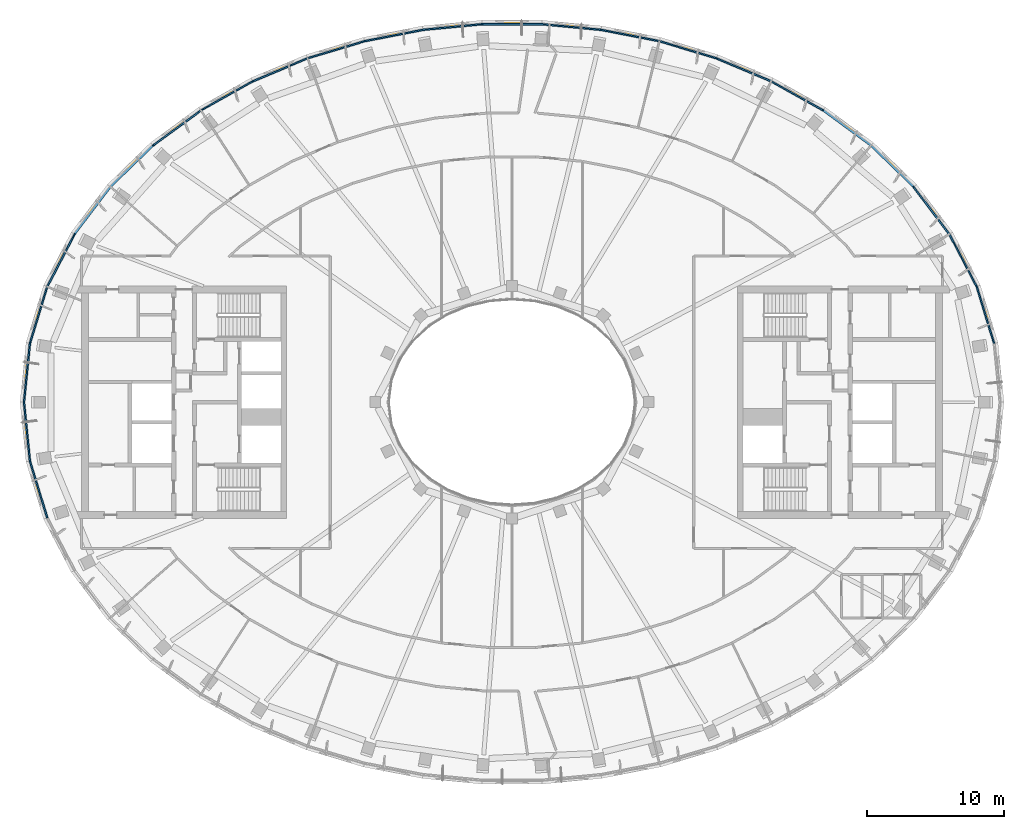
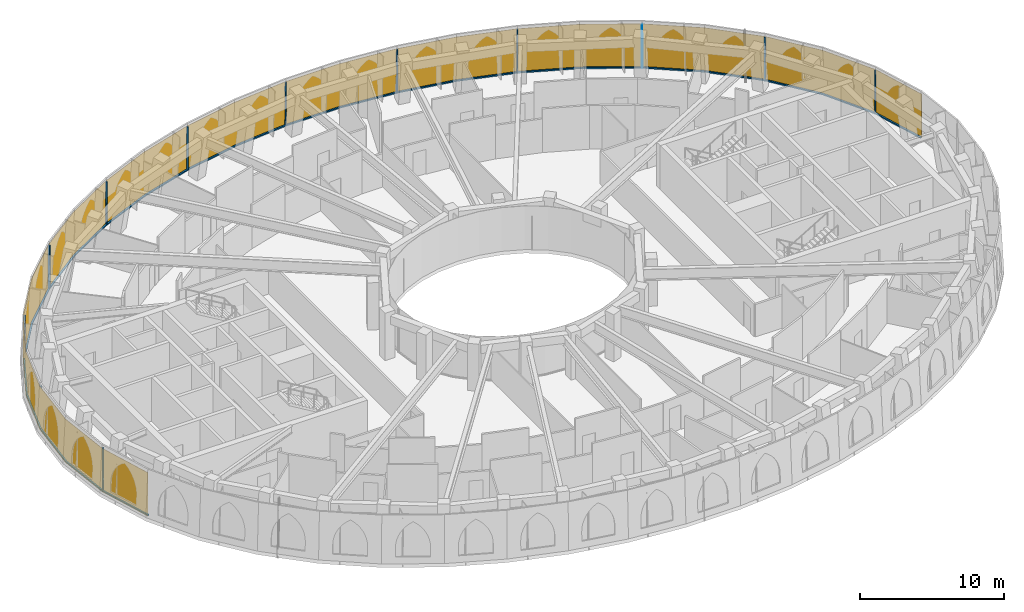
# One storey, part 11 of 15: 25 members, 1 curtain wall.
"""IFC4 building model written with IfcOpenShell, lengths in metres."""

import ifcopenshell
import ifcopenshell.guid

model = None  # the IFC model being written
_history = None  # IfcOwnerHistory: only IFC2X3 demands one
_inside = {}  # id of a spatial element -> (the spatial element, [elements in it])
_under = {}  # id of a project, library or spatial element -> (it, [spatial elements below it])
_declared = {}  # id of a project -> (the project, [libraries it declares])
_typed = {}  # id of a type object -> (the type object, [elements of that type])
_made_of = {}  # id of a material, layer set ... -> (it, [elements and type objects made of it])


def new_model(schema):
    """Start an empty IFC model of exactly this schema.

    Asked for "IFC4X3", IfcOpenShell would pick the latest addendum, in which some entities
    have other attributes; the version numbers below select the first issue.
    IFC2X3 requires an IfcOwnerHistory on every rooted entity: one is made here for all.
    """
    global model, _history
    if schema == "IFC4X3":
        model = ifcopenshell.file(schema_version=(4, 3, 0, 0))
    else:
        model = ifcopenshell.file(schema=schema)
    _inside.clear()
    _under.clear()
    _declared.clear()
    _typed.clear()
    _made_of.clear()
    _history = None
    if model.schema == "IFC2X3":
        org = make("IfcOrganization", Name="unknown")
        user = make(
            "IfcPersonAndOrganization",
            ThePerson=make("IfcPerson", FamilyName="unknown"),
            TheOrganization=org,
        )
        app = make(
            "IfcApplication",
            ApplicationDeveloper=org,
            Version="unknown",
            ApplicationFullName="unknown",
            ApplicationIdentifier="unknown",
        )
        _history = make(
            "IfcOwnerHistory",
            OwningUser=user,
            OwningApplication=app,
            ChangeAction="ADDED",
            CreationDate=0,
        )
    return model


def make(cls, **values):
    """One entity of the class cls with the attributes given. An attribute that is None is left unset."""
    return model.create_entity(
        cls, **{name: value for name, value in values.items() if value is not None}
    )


def rooted(cls, **values):
    """An entity with a GlobalId (a new one), such as an element, a storey or a relation."""
    return make(cls, GlobalId=ifcopenshell.guid.new(), OwnerHistory=_history, **values)


def si_unit(unit_type, name, prefix=None):
    """IfcSIUnit, for example si_unit("LENGTHUNIT", "METRE", prefix="MILLI")."""
    return make("IfcSIUnit", UnitType=unit_type, Prefix=prefix, Name=name)


def assignment(units):
    """IfcUnitAssignment: the units of a project."""
    return None if units is None else make("IfcUnitAssignment", Units=units)


def point(xyz):
    """IfcCartesianPoint."""
    return None if xyz is None else make("IfcCartesianPoint", Coordinates=xyz)


def direction(xyz):
    """IfcDirection."""
    return None if xyz is None else make("IfcDirection", DirectionRatios=xyz)


def frame(location, z_axis=None, x_axis=None):
    """IfcAxis2Placement3D, a coordinate frame: its origin and axes. An axis left out is left unset."""
    return make(
        "IfcAxis2Placement3D",
        Location=point(location),
        Axis=direction(z_axis),
        RefDirection=direction(x_axis),
    )


def frame_2d(location, x_axis=None):
    """IfcAxis2Placement2D, a coordinate frame in the plane: its origin and x axis."""
    return make(
        "IfcAxis2Placement2D", Location=point(location), RefDirection=direction(x_axis)
    )


def origin():
    """The frame at (0, 0, 0) with its axes left unset."""
    return frame((0.0, 0.0, 0.0))


def origin_2d():
    """The frame at (0, 0) in the plane with its x axis left unset."""
    return frame_2d((0.0, 0.0))


def place(relative_to, where):
    """IfcLocalPlacement: puts the frame where relative to a parent placement (None: the world)."""
    return make(
        "IfcLocalPlacement", PlacementRelTo=relative_to, RelativePlacement=where
    )


def context(
    kind, dimensions, precision=None, world=None, true_north=None, identifier=None
):
    """IfcGeometricRepresentationContext, for example the 3D "Model" context."""
    return make(
        "IfcGeometricRepresentationContext",
        ContextIdentifier=identifier,
        ContextType=kind,
        CoordinateSpaceDimension=dimensions,
        Precision=precision,
        WorldCoordinateSystem=world,
        TrueNorth=true_north,
    )


def subcontext(parent, identifier, kind, view, scale=None):
    """IfcGeometricRepresentationSubContext, for example "Body" below "Model"."""
    return make(
        "IfcGeometricRepresentationSubContext",
        ContextIdentifier=identifier,
        ContextType=kind,
        ParentContext=parent,
        TargetScale=scale,
        TargetView=view,
    )


def project(units=None, contexts=None):
    """IfcProject with its units and contexts."""
    return rooted(
        "IfcProject",
        Name="project",
        RepresentationContexts=contexts,
        UnitsInContext=assignment(units),
    )


def spatial(cls, under=None, at=None, **own):
    """A site, building, storey or space (cls), placed at a placement, below another one or the project."""
    s = rooted(cls, ObjectPlacement=at, **own)
    if under is not None:
        _under.setdefault(under.id(), (under, []))[1].append(s)
    return s


def polyline(points):
    """IfcPolyline through the points."""
    return make("IfcPolyline", Points=[point(p) for p in points])


def profile(cls, at=None, kind="AREA", **sizes):
    """A parametric profile (cls). Its sizes go by their IFC names, for example OverallWidth=200.0."""
    return make(cls, ProfileType=kind, Position=at, **sizes)


def rectangle(**sizes):
    """IfcRectangleProfileDef."""
    return profile("IfcRectangleProfileDef", **sizes)


def outline(outer, holes=None, kind="AREA"):
    """IfcArbitraryClosedProfileDef: a profile drawn as a closed curve; with holes, ...WithVoids."""
    if holes is None:
        return make("IfcArbitraryClosedProfileDef", ProfileType=kind, OuterCurve=outer)
    return make(
        "IfcArbitraryProfileDefWithVoids",
        ProfileType=kind,
        OuterCurve=outer,
        InnerCurves=holes,
    )


def extrude(swept, where, along, depth):
    """IfcExtrudedAreaSolid: the profile swept, set in the frame where, extruded along a direction by depth."""
    return make(
        "IfcExtrudedAreaSolid",
        SweptArea=swept,
        Position=where,
        ExtrudedDirection=direction(along),
        Depth=depth,
    )


def shape(context_of_items, identifier, shape_type, items):
    """IfcShapeRepresentation: the items that make up one representation, for example the "Body"."""
    return make(
        "IfcShapeRepresentation",
        ContextOfItems=context_of_items,
        RepresentationIdentifier=identifier,
        RepresentationType=shape_type,
        Items=items,
    )


def material(Name=None, Category=None):
    """IfcMaterial."""
    return make("IfcMaterial", Name=Name, Category=Category)


def layer(
    of_material, thickness, ventilated=None, Name=None, Category=None, Priority=None
):
    """IfcMaterialLayer: one layer of a wall or slab, of a material (None: an air gap)."""
    return make(
        "IfcMaterialLayer",
        Material=of_material,
        LayerThickness=thickness,
        IsVentilated=ventilated,
        Name=Name,
        Category=Category,
        Priority=Priority,
    )


def layer_set(layers, Name=None):
    """IfcMaterialLayerSet."""
    return make("IfcMaterialLayerSet", MaterialLayers=layers, LayerSetName=Name)


def material_profile(
    of_material, cross_section, Name=None, Category=None, Priority=None
):
    """IfcMaterialProfile: a cross section and its material."""
    return make(
        "IfcMaterialProfile",
        Name=Name,
        Material=of_material,
        Profile=cross_section,
        Priority=Priority,
        Category=Category,
    )


def profile_set(profiles, Name=None, composite=None):
    """IfcMaterialProfileSet."""
    return make(
        "IfcMaterialProfileSet",
        Name=Name,
        MaterialProfiles=profiles,
        CompositeProfile=composite,
    )


def made_of(thing, what):
    """Note that an element or type object is made of a material, layer set ...; save() writes the relation."""
    if what is not None:
        _made_of.setdefault(what.id(), (what, []))[1].append(thing)
    return thing


def type_object(cls, material=None, **own):
    """A type object (cls), such as IfcWallType, which elements share."""
    return made_of(rooted(cls, **own), material)


def element(
    cls,
    number,
    at=None,
    inside=None,
    cuts=None,
    type_object=None,
    material=None,
    context=None,
    identifier="Body",
    shape_type=None,
    held_by="IfcProductDefinitionShape",
    body=None,
    shapes=None,
    **own,
):
    """One element of the class cls, such as IfcWall. Its Tag is "e" and its number.

    at: its placement. inside: the storey or other place that contains it. cuts: it is an
    opening in that element (IfcRelVoidsElement). A single representation is given by context,
    identifier, shape_type and body (its items); several are given by shapes. held_by: the class
    of the entity that holds the representations. save() writes the other relations.
    """
    e = rooted(cls, Tag="e%d" % number, ObjectPlacement=at, **own)
    if body is not None:
        shapes = [shape(context, identifier, shape_type, body)]
    if shapes is not None:
        e.Representation = make(held_by, Representations=shapes)
    if inside is not None:
        _inside.setdefault(inside.id(), (inside, []))[1].append(e)
    if cuts is not None:
        rooted(
            "IfcRelVoidsElement", RelatingBuildingElement=cuts, RelatedOpeningElement=e
        )
    if type_object is not None:
        _typed.setdefault(type_object.id(), (type_object, []))[1].append(e)
    return made_of(e, material)


def aggregate(whole, parts):
    """IfcRelAggregates: a whole, such as a stair, and the parts it consists of."""
    return rooted("IfcRelAggregates", RelatingObject=whole, RelatedObjects=parts)


def save(model, path):
    """Write the relations noted so far, then the file.

    IfcRelAggregates (storeys below a building ...), IfcRelContainedInSpatialStructure (elements
    in a storey), IfcRelDefinesByType, IfcRelAssociatesMaterial and IfcRelDeclares: one each for
    every whole, place, type object, material and project.
    """
    for whole, parts in _under.values():
        aggregate(whole, parts)
    for where, things in _inside.values():
        rooted(
            "IfcRelContainedInSpatialStructure",
            RelatedElements=things,
            RelatingStructure=where,
        )
    for kind, things in _typed.values():
        rooted("IfcRelDefinesByType", RelatedObjects=things, RelatingType=kind)
    for what, things in _made_of.values():
        rooted("IfcRelAssociatesMaterial", RelatedObjects=things, RelatingMaterial=what)
    for by, libraries in _declared.values():
        rooted("IfcRelDeclares", RelatingContext=by, RelatedDefinitions=libraries)
    model.write(path)


model = new_model("IFC4")

# Units and contexts
model_context = context("Model", 3, precision=1e-05, world=origin(), true_north=direction((0.0, 1.0)))
body_context = subcontext(model_context, "Body", "Model", "MODEL_VIEW")
ifc_project = project(units=[si_unit("LENGTHUNIT", "METRE"), si_unit("AREAUNIT", "SQUARE_METRE"), si_unit("VOLUMEUNIT", "CUBIC_METRE"), si_unit("PLANEANGLEUNIT", "RADIAN"), si_unit("MASSUNIT", "GRAM", prefix="KILO")], contexts=[model_context])

# Member
ifc_material_1 = material(Name="Aluminium 6063-T6 black anodised", Category="aluminium")
ifc_material_profile = material_profile(ifc_material_1, rectangle(XDim=0.1201171875, YDim=0.06005859375, at=origin_2d()), Name="120x60")
ifc_profile_set = profile_set([ifc_material_profile], Name="Aluminium 6063-T6 black anodised")
member_type_1 = type_object("IfcMemberType", Name="ENV-MULLION-H-120", PredefinedType="MULLION", material=ifc_profile_set)
site_placement = place(None, origin())
building_placement = place(site_placement, origin())
storey_placement = place(building_placement, frame((0.0, 0.0, 331.0)))
member_1_placement = place(storey_placement, frame((34.005126953125, 8.45263671875, 0.0), z_axis=(0.0, 0.0, 1.0), x_axis=(-0.925258019924, -0.379338366853, 0.0)))
member_1 = element("IfcMember", 1, at=member_1_placement, type_object=member_type_1, Name="Mullion H radial 03", PredefinedType="MULLION", context=body_context, shape_type="SweptSolid", body=[
    extrude(rectangle(XDim=0.1201171875, YDim=0.06005859375, at=origin_2d()), origin(), (0.0, 0.0, 1.0), 3.699951171875),
])

member_2_placement = place(storey_placement, frame((29.373779296875, 15.753173828125, 0.0), z_axis=(0.0, 0.0, 1.0), x_axis=(-0.748526422101, -0.66310496561, 0.0)))
member_2 = element("IfcMember", 2, at=member_2_placement, type_object=member_type_1, Name="Mullion H radial 05", PredefinedType="MULLION", context=body_context, shape_type="SweptSolid", body=[
    extrude(rectangle(XDim=0.1201171875, YDim=0.06005859375, at=origin_2d()), origin(), (0.0, 0.0, 1.0), 3.699951171875),
])

member_3_placement = place(storey_placement, frame((22.7548828125, 21.35205078125, 0.0), z_axis=(0.0, 0.0, 1.0), x_axis=(-0.541670802907, -0.840590709726, 0.0)))
member_3 = element("IfcMember", 3, at=member_3_placement, type_object=member_type_1, Name="Mullion H radial 07", PredefinedType="MULLION", context=body_context, shape_type="SweptSolid", body=[
    extrude(rectangle(XDim=0.1201171875, YDim=0.06005859375, at=origin_2d()), origin(), (0.0, 0.0, 1.0), 3.699951171875),
])

member_4_placement = place(storey_placement, frame((14.950439453125, 25.16162109375, 0.0), z_axis=(0.0, 0.0, 1.0), x_axis=(-0.337902323267, -0.94118118337, 0.0)))
member_4 = element("IfcMember", 4, at=member_4_placement, type_object=member_type_1, Name="Mullion H radial 09", PredefinedType="MULLION", context=body_context, shape_type="SweptSolid", body=[
    extrude(rectangle(XDim=0.1201171875, YDim=0.06005859375, at=origin_2d()), origin(), (0.0, 0.0, 1.0), 3.699951171875),
])

member_5_placement = place(storey_placement, frame((6.510009765625, 27.2431640625, 0.0), z_axis=(0.0, 0.0, 1.0), x_axis=(-0.142858777509, -0.989743082668, 0.0)))
member_5 = element("IfcMember", 5, at=member_5_placement, type_object=member_type_1, Name="Mullion H radial 11", PredefinedType="MULLION", context=body_context, shape_type="SweptSolid", body=[
    extrude(rectangle(XDim=0.1201171875, YDim=0.06005859375, at=origin_2d()), origin(), (0.0, 0.0, 1.0), 3.699951171875),
])

member_6_placement = place(storey_placement, frame((-2.176513671875, 27.656005859375, 0.0), z_axis=(0.0, 0.0, 1.0), x_axis=(0.047482285731, -0.998872080169, 0.0)))
member_6 = element("IfcMember", 6, at=member_6_placement, type_object=member_type_1, Name="Mullion H radial 13", PredefinedType="MULLION", context=body_context, shape_type="SweptSolid", body=[
    extrude(rectangle(XDim=0.1201171875, YDim=0.06005859375, at=origin_2d()), origin(), (0.0, 0.0, 1.0), 3.699951171875),
])

member_7_placement = place(storey_placement, frame((-10.78271484375, 26.413818359375, 0.0), z_axis=(0.0, 0.0, 1.0), x_axis=(0.239439185243, -0.97091136391, 0.0)))
member_7 = element("IfcMember", 7, at=member_7_placement, type_object=member_type_1, Name="Mullion H radial 15", PredefinedType="MULLION", context=body_context, shape_type="SweptSolid", body=[
    extrude(rectangle(XDim=0.1201171875, YDim=0.06005859375, at=origin_2d()), origin(), (0.0, 0.0, 1.0), 3.699951171875),
])

member_8_placement = place(storey_placement, frame((-18.96142578125, 23.4775390625, 0.0), z_axis=(0.0, 0.0, 1.0), x_axis=(0.4386738804, -0.898646330129, 0.0)))
member_8 = element("IfcMember", 8, at=member_8_placement, type_object=member_type_1, Name="Mullion H radial 17", PredefinedType="MULLION", context=body_context, shape_type="SweptSolid", body=[
    extrude(rectangle(XDim=0.1201171875, YDim=0.06005859375, at=origin_2d()), origin(), (0.0, 0.0, 1.0), 3.699951171875),
])

member_9_placement = place(storey_placement, frame((-26.25634765625, 18.777099609375, 0.0), z_axis=(0.0, 0.0, 1.0), x_axis=(0.645854129125, -0.76346083324, 0.0)))
member_9 = element("IfcMember", 9, at=member_9_placement, type_object=member_type_1, Name="Mullion H radial 19", PredefinedType="MULLION", context=body_context, shape_type="SweptSolid", body=[
    extrude(rectangle(XDim=0.1201171875, YDim=0.06005859375, at=origin_2d()), origin(), (0.0, 0.0, 1.0), 3.699951171875),
])

member_10_placement = place(storey_placement, frame((-31.997802734375, 12.29638671875, 0.0), z_axis=(0.0, 0.0, 1.0), x_axis=(0.844447683861, -0.535638039372, 0.0)))
member_10 = element("IfcMember", 10, at=member_10_placement, type_object=member_type_1, Name="Mullion H radial 21", PredefinedType="MULLION", context=body_context, shape_type="SweptSolid", body=[
    extrude(rectangle(XDim=0.1201171875, YDim=0.06005859375, at=origin_2d()), origin(), (0.0, 0.0, 1.0), 3.699951171875),
])

member_11_placement = place(storey_placement, frame((-35.27294921875, 4.309326171875, 0.0), z_axis=(0.0, 0.0, 1.0), x_axis=(0.980319158477, -0.197419217714, 0.0)))
member_11 = element("IfcMember", 11, at=member_11_placement, type_object=member_type_1, Name="Mullion H radial 23", PredefinedType="MULLION", context=body_context, shape_type="SweptSolid", body=[
    extrude(rectangle(XDim=0.1201171875, YDim=0.06005859375, at=origin_2d()), origin(), (0.0, 0.0, 1.0), 3.699951171875),
])

member_12_placement = place(storey_placement, frame((-35.27294921875, -4.309326171875, 0.0), z_axis=(0.0, 0.0, 1.0), x_axis=(0.980319158477, 0.197419217714, 0.0)))
member_12 = element("IfcMember", 12, at=member_12_placement, type_object=member_type_1, Name="Mullion H radial 25", PredefinedType="MULLION", context=body_context, shape_type="SweptSolid", body=[
    extrude(rectangle(XDim=0.1201171875, YDim=0.06005859375, at=origin_2d()), origin(), (0.0, 0.0, 1.0), 3.699951171875),
])

ifc_material_2 = material(Name="Aluminium 6063-T6 black anodised", Category="aluminium")
member_type_2 = type_object("IfcMemberType", Name="ENV-TRANSOM-H", PredefinedType="USERDEFINED", material=ifc_material_2)
member_13_placement = place(storey_placement, origin())
member_13 = element("IfcMember", 13, at=member_13_placement, type_object=member_type_2, Name="Transom H radial 02-03", ObjectType="TRANSOM", PredefinedType="USERDEFINED", context=body_context, shape_type="SweptSolid", body=[
    extrude(outline(polyline([(35.33154296875, 4.321044921875), (34.068603515625, 8.448486328125), (33.95703125, 8.40283203125), (35.21337890625, 4.29736328125), (35.33154296875, 4.321044921875)])), origin(), (0.0, 0.0, 1.0), 0.10009765625),
])

member_14_placement = place(storey_placement, origin())
member_14 = element("IfcMember", 14, at=member_14_placement, type_object=member_type_2, Name="Transom H radial 03-05", ObjectType="TRANSOM", PredefinedType="USERDEFINED", context=body_context, shape_type="SweptSolid", body=[
    extrude(outline(polyline([(34.04736328125, 8.500244140625), (32.04833984375, 12.32861328125), (29.435546875, 15.7705078125), (29.345458984375, 15.690673828125), (31.94677734375, 12.263916015625), (33.935791015625, 8.45458984375), (34.04736328125, 8.500244140625)])), origin(), (0.0, 0.0, 1.0), 0.10009765625),
])

member_15_placement = place(storey_placement, origin())
member_15 = element("IfcMember", 15, at=member_15_placement, type_object=member_type_2, Name="Transom H radial 05-07", ObjectType="TRANSOM", PredefinedType="USERDEFINED", context=body_context, shape_type="SweptSolid", body=[
    extrude(outline(polyline([(29.398681640625, 15.812255859375), (26.294921875, 18.822998046875), (22.81005859375, 21.3857421875), (22.744873046875, 21.28466796875), (26.21728515625, 18.73095703125), (29.30859375, 15.732421875), (29.398681640625, 15.812255859375)])), origin(), (0.0, 0.0, 1.0), 0.10009765625),
])

member_16_placement = place(storey_placement, origin())
member_16 = element("IfcMember", 16, at=member_16_placement, type_object=member_type_2, Name="Transom H radial 07-09", ObjectType="TRANSOM", PredefinedType="USERDEFINED", context=body_context, shape_type="SweptSolid", body=[
    extrude(outline(polyline([(22.762939453125, 21.416015625), (18.98779296875, 23.531494140625), (14.996337890625, 25.207275390625), (14.955810546875, 25.093994140625), (18.93505859375, 23.423583984375), (22.697998046875, 21.31494140625), (22.762939453125, 21.416015625)])), origin(), (0.0, 0.0, 1.0), 0.10009765625),
])

member_17_placement = place(storey_placement, origin())
member_17 = element("IfcMember", 17, at=member_17_placement, type_object=member_type_2, Name="Transom H radial 09-11", ObjectType="TRANSOM", PredefinedType="USERDEFINED", context=body_context, shape_type="SweptSolid", body=[
    extrude(outline(polyline([(14.94384765625, 25.22607421875), (10.797119140625, 26.471923828125), (6.5458984375, 27.297119140625), (6.52880859375, 27.17822265625), (10.768310546875, 26.35546875), (14.9033203125, 25.113037109375), (14.94384765625, 25.22607421875)])), origin(), (0.0, 0.0, 1.0), 0.10009765625),
])

member_18_placement = place(storey_placement, origin())
member_18 = element("IfcMember", 18, at=member_18_placement, type_object=member_type_2, Name="Transom H radial 11-13", ObjectType="TRANSOM", PredefinedType="USERDEFINED", context=body_context, shape_type="SweptSolid", body=[
    extrude(outline(polyline([(6.49072265625, 27.30517578125), (2.179443359375, 27.7158203125), (-2.1513671875, 27.7158203125), (-2.145751953125, 27.595947265625), (2.173583984375, 27.595947265625), (6.473388671875, 27.18603515625), (6.49072265625, 27.30517578125)])), origin(), (0.0, 0.0, 1.0), 0.10009765625),
])

member_19_placement = place(storey_placement, origin())
member_19 = element("IfcMember", 19, at=member_19_placement, type_object=member_type_2, Name="Transom H radial 13-15", ObjectType="TRANSOM", PredefinedType="USERDEFINED", context=body_context, shape_type="SweptSolid", body=[
    extrude(outline(polyline([(-2.207275390625, 27.713134765625), (-6.5185546875, 27.302490234375), (-10.76953125, 26.477294921875), (-10.740966796875, 26.360595703125), (-6.50146484375, 27.18359375), (-2.20166015625, 27.59326171875), (-2.207275390625, 27.713134765625)])), origin(), (0.0, 0.0, 1.0), 0.10009765625),
])

member_20_placement = place(storey_placement, origin())
member_20 = element("IfcMember", 20, at=member_20_placement, type_object=member_type_2, Name="Transom H radial 15-17", ObjectType="TRANSOM", PredefinedType="USERDEFINED", context=body_context, shape_type="SweptSolid", body=[
    extrude(outline(polyline([(-10.823974609375, 26.464111328125), (-14.970703125, 25.218017578125), (-18.9619140625, 23.542236328125), (-18.9091796875, 23.434326171875), (-14.929931640625, 25.10498046875), (-10.795166015625, 26.347412109375), (-10.823974609375, 26.464111328125)])), origin(), (0.0, 0.0, 1.0), 0.10009765625),
])

member_21_placement = place(storey_placement, origin())
member_21 = element("IfcMember", 21, at=member_21_placement, type_object=member_type_2, Name="Transom H radial 17-19", ObjectType="TRANSOM", PredefinedType="USERDEFINED", context=body_context, shape_type="SweptSolid", body=[
    extrude(outline(polyline([(-19.01220703125, 23.517822265625), (-22.787353515625, 21.40234375), (-26.2724609375, 18.83935546875), (-26.194580078125, 18.74755859375), (-22.722412109375, 21.30126953125), (-18.95947265625, 23.409912109375), (-19.01220703125, 23.517822265625)])), origin(), (0.0, 0.0, 1.0), 0.10009765625),
])

member_22_placement = place(storey_placement, origin())
member_22 = element("IfcMember", 22, at=member_22_placement, type_object=member_type_2, Name="Transom H radial 19-21", ObjectType="TRANSOM", PredefinedType="USERDEFINED", context=body_context, shape_type="SweptSolid", body=[
    extrude(outline(polyline([(-26.315185546875, 18.803466796875), (-29.418701171875, 15.792724609375), (-32.031494140625, 12.350830078125), (-31.9296875, 12.286376953125), (-29.32861328125, 15.712890625), (-26.2373046875, 18.71142578125), (-26.315185546875, 18.803466796875)])), origin(), (0.0, 0.0, 1.0), 0.10009765625),
])

member_23_placement = place(storey_placement, origin())
member_23 = element("IfcMember", 23, at=member_23_placement, type_object=member_type_2, Name="Transom H radial 21-23", ObjectType="TRANSOM", PredefinedType="USERDEFINED", context=body_context, shape_type="SweptSolid", body=[
    extrude(outline(polyline([(-32.061279296875, 12.3037109375), (-34.060302734375, 8.475341796875), (-35.323486328125, 4.347900390625), (-35.205078125, 4.32421875), (-33.948974609375, 8.4296875), (-31.959716796875, 12.2392578125), (-32.061279296875, 12.3037109375)])), origin(), (0.0, 0.0, 1.0), 0.10009765625),
])

member_24_placement = place(storey_placement, origin())
member_24 = element("IfcMember", 24, at=member_24_placement, type_object=member_type_2, Name="Transom H radial 23-25", ObjectType="TRANSOM", PredefinedType="USERDEFINED", context=body_context, shape_type="SweptSolid", body=[
    extrude(outline(polyline([(-35.33447265625, 4.293212890625), (-35.767333984375, 0.0), (-35.33447265625, -4.293212890625), (-35.21630859375, -4.269287109375), (-35.646728515625, 0.0), (-35.21630859375, 4.269287109375), (-35.33447265625, 4.293212890625)])), origin(), (0.0, 0.0, 1.0), 0.10009765625),
])

member_25_placement = place(storey_placement, origin())
member_25 = element("IfcMember", 25, at=member_25_placement, type_object=member_type_2, Name="Transom H radial 25-26", ObjectType="TRANSOM", PredefinedType="USERDEFINED", context=body_context, shape_type="SweptSolid", body=[
    extrude(outline(polyline([(-35.323486328125, -4.347900390625), (-34.060302734375, -8.475341796875), (-33.948974609375, -8.4296875), (-35.205078125, -4.32421875), (-35.323486328125, -4.347900390625)])), origin(), (0.0, 0.0, 1.0), 0.10009765625),
])

# Site, building, storey
site = spatial("IfcSite", under=ifc_project, at=site_placement, CompositionType="ELEMENT")
building = spatial("IfcBuilding", under=site, at=building_placement, Name="Noorbagh Ring Tower", CompositionType="ELEMENT")
storey = spatial("IfcBuildingStorey", under=building, at=storey_placement, Name="L72", CompositionType="ELEMENT", Elevation=331.0)

# Curtain wall
ifc_material_3 = material(Name="Glass dark tinted laminated", Category="glass")
ifc_layer = layer(ifc_material_3, 0.031982421875)
ifc_layer_set = layer_set([ifc_layer], Name="Glass dark tinted laminated")
curtain_wall_type = type_object("IfcCurtainWallType", Name="ENV-CW-H", PredefinedType="NOTDEFINED", material=ifc_layer_set)
curtain_wall_placement = place(storey_placement, origin())
curtain_wall = element("IfcCurtainWall", 26, at=curtain_wall_placement, inside=storey, type_object=curtain_wall_type, Name="Curtain wall H R02", PredefinedType="NOTDEFINED", context=body_context, shape_type="SweptSolid", body=[
    extrude(outline(polyline([(35.363037109375, 4.327392578125), (34.090087890625, 8.487548828125), (32.07568359375, 12.345703125), (29.442626953125, 15.814208984375), (26.315673828125, 18.847412109375), (22.8046875, 21.42919921875), (19.001708984375, 23.560302734375), (14.9814453125, 25.248291015625), (10.8046875, 26.503173828125), (6.523193359375, 27.333984375), (2.180908203125, 27.747802734375), (-2.180908203125, 27.747802734375), (-6.523193359375, 27.333984375), (-10.8046875, 26.503173828125), (-14.9814453125, 25.248291015625), (-19.001708984375, 23.560302734375), (-22.8046875, 21.42919921875), (-26.315673828125, 18.847412109375), (-29.442626953125, 15.814208984375), (-32.07568359375, 12.345703125), (-34.090087890625, 8.487548828125), (-35.363037109375, 4.327392578125), (-35.799560546875, 0.0), (-35.363037109375, -4.327392578125), (-34.090087890625, -8.487548828125), (-34.060302734375, -8.475341796875), (-35.33154296875, -4.321044921875), (-35.767333984375, 0.0), (-35.33154296875, 4.321044921875), (-34.060302734375, 8.475341796875), (-32.04833984375, 12.32861328125), (-29.418701171875, 15.792724609375), (-26.294921875, 18.822998046875), (-22.787353515625, 21.40234375), (-18.98779296875, 23.531494140625), (-14.970703125, 25.218017578125), (-10.797119140625, 26.471923828125), (-6.5185546875, 27.302490234375), (-2.179443359375, 27.7158203125), (2.179443359375, 27.7158203125), (6.5185546875, 27.302490234375), (10.797119140625, 26.471923828125), (14.970703125, 25.218017578125), (18.98779296875, 23.531494140625), (22.787353515625, 21.40234375), (26.294921875, 18.822998046875), (29.418701171875, 15.792724609375), (32.04833984375, 12.32861328125), (34.060302734375, 8.475341796875), (35.33154296875, 4.321044921875), (35.363037109375, 4.327392578125)])), origin(), (0.0, 0.0, 1.0), 3.699951171875),
])

aggregate(curtain_wall, [member_1, member_2, member_3, member_4, member_5, member_6, member_7, member_8, member_9, member_10, member_11, member_12, member_13, member_14, member_15, member_16, member_17, member_18, member_19, member_20, member_21, member_22, member_23, member_24, member_25])

save(model, "model.ifc")
